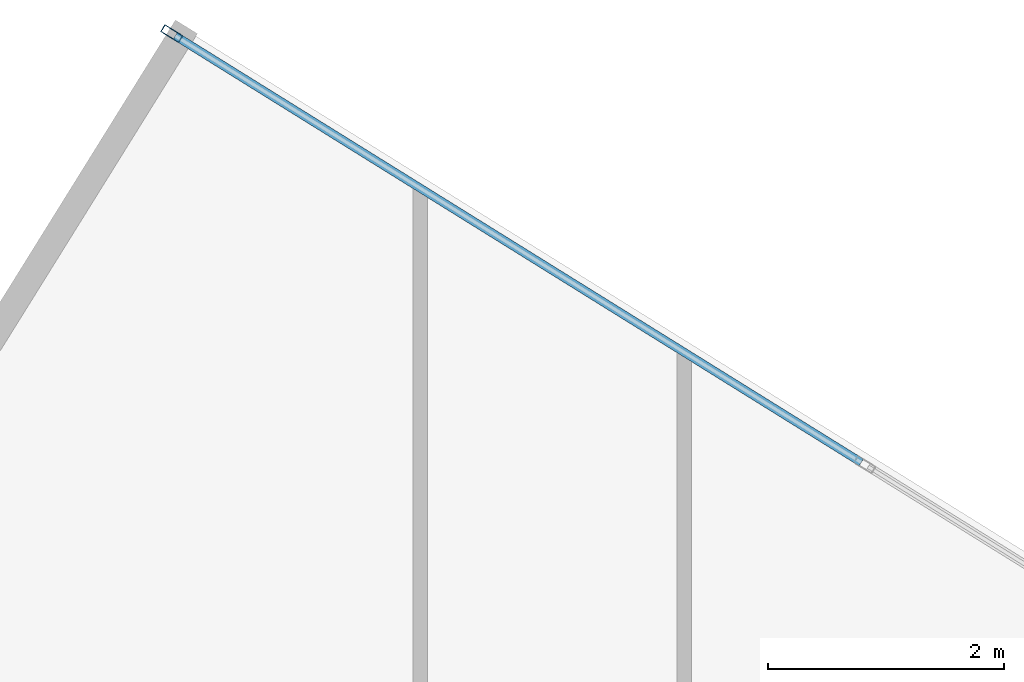
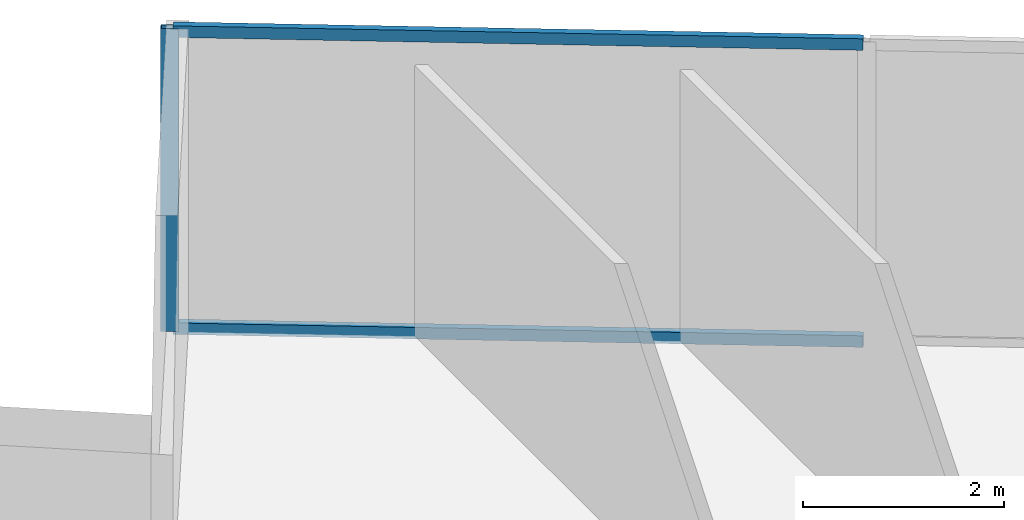
# One storey, part 16 of 26: 3 members, 1 element without a shape of its own.
"""IFC4 building model written with IfcOpenShell, lengths in metres."""

from ifc_helpers import new_model, si_unit, direction, frame, origin, origin_2d, place, context, subcontext, project, spatial, hollow_rectangle, extrude, source, transform, mapped, material, material_profile, profile_set, type_object, type_shapes, element, aggregate, save


model = new_model("IFC4")

# Units and contexts
model_context = context("Model", 3, precision=1e-05, world=origin(), true_north=direction((0.0, 1.0)))
body_context = subcontext(model_context, "Body", "Model", "MODEL_VIEW")
ifc_project = project(units=[si_unit("LENGTHUNIT", "METRE"), si_unit("AREAUNIT", "SQUARE_METRE"), si_unit("VOLUMEUNIT", "CUBIC_METRE"), si_unit("PLANEANGLEUNIT", "RADIAN"), si_unit("MASSUNIT", "GRAM", prefix="KILO")], contexts=[model_context])

# Site, building, storey
site_placement = place(None, origin())
site = spatial("IfcSite", under=ifc_project, at=site_placement, CompositionType="ELEMENT")
building_placement = place(site_placement, origin())
building = spatial("IfcBuilding", under=site, at=building_placement, Name="Krantzveldt Concourse Tower", CompositionType="ELEMENT")
storey_placement = place(building_placement, frame((0.0, 0.0, 173.85009765625)))
storey = spatial("IfcBuildingStorey", under=building, at=storey_placement, Name="L42", CompositionType="ELEMENT", Elevation=173.85009765625)

# Curtain wall, members
ifc_material = material(Name="Anodised aluminium 6063-T6", Category="aluminium")
curtain_wall_type = type_object("IfcCurtainWallType", Name="CW3", PredefinedType="USERDEFINED", material=ifc_material)
curtain_wall_placement = place(storey_placement, origin())
curtain_wall = element("IfcCurtainWall", 1, at=curtain_wall_placement, inside=storey, type_object=curtain_wall_type, Name="CW-L42-F10", ObjectType="UNITISED CURTAIN WALL", PredefinedType="USERDEFINED")
ifc_material_profile_1 = material_profile(ifc_material, hollow_rectangle(XDim=0.070068359375, YDim=0.179931640625, WallThickness=0.0048828125, at=origin_2d()), Name="Anodised aluminium 6063-T6", Category="aluminium")
ifc_profile_set_1 = profile_set([ifc_material_profile_1], Name="Anodised aluminium 6063-T6 - ALU-MULL 180x70x5")
member_type_1 = type_object("IfcMemberType", Name="CW-MUL-180", PredefinedType="MULLION", material=ifc_profile_set_1)
shared_shape_1 = source(origin(), body_context, "Body", "SweptSolid", [
    extrude(hollow_rectangle(XDim=0.070068359375, YDim=0.179931640625, WallThickness=0.0048828125, at=origin_2d()), origin(), (0.0, 0.0, 1.0), 3.669921875),
])
type_shapes(member_type_1, [shared_shape_1])
member_1_placement = place(storey_placement, frame((32.770751953125, 54.39111328125, 0.0), z_axis=(0.0, 0.0, 1.0), x_axis=(-0.528067901977, -0.84920214961, 0.0)))
member_1 = element("IfcMember", 2, at=member_1_placement, type_object=member_type_1, Name="CW-Z34 mullion 6", PredefinedType="MULLION", context=body_context, shape_type="MappedRepresentation", body=[
    mapped(shared_shape_1, transform((0.0, 0.0, 0.0), x_axis=(1.0, 0.0, 0.0), y_axis=(0.0, 1.0, 0.0), z_axis=(0.0, 0.0, 1.0), scale=1.0)),
])
ifc_material_profile_2 = material_profile(ifc_material, hollow_rectangle(XDim=0.070068359375, YDim=0.139892578125, WallThickness=0.0048828125, at=origin_2d()), Name="Anodised aluminium 6063-T6", Category="aluminium")
ifc_profile_set_2 = profile_set([ifc_material_profile_2], Name="Anodised aluminium 6063-T6 - ALU-TRAN 140x70x5")
member_type_2 = type_object("IfcMemberType", Name="CW-TRN-150", PredefinedType="USERDEFINED", material=ifc_profile_set_2)
shared_shape_2 = source(origin(), body_context, "Body", "SweptSolid", [
    extrude(hollow_rectangle(XDim=0.070068359375, YDim=0.139892578125, WallThickness=0.0048828125, at=origin_2d()), origin(), (0.0, 0.0, 1.0), 6.85498046875),
])
type_shapes(member_type_2, [shared_shape_2])
member_2_placement = place(storey_placement, frame((38.621826171875, 50.752685546875, 0.034912109375), z_axis=(-0.849204609246, 0.52806394654, 0.0), x_axis=(-0.52806394654, -0.849204609246, 0.0)))
member_2 = element("IfcMember", 3, at=member_2_placement, type_object=member_type_2, Name="CW-Z34 transom 5.1", ObjectType="TRANSOM", PredefinedType="USERDEFINED", context=body_context, shape_type="MappedRepresentation", body=[
    mapped(shared_shape_2, transform((0.0, 0.0, 0.0), x_axis=(1.0, 0.0, 0.0), y_axis=(0.0, 1.0, 0.0), z_axis=(0.0, 0.0, 1.0), scale=1.0)),
])
member_3_placement = place(storey_placement, frame((38.621826171875, 50.752685546875, 3.635009765625), z_axis=(-0.849204609246, 0.52806394654, 0.0), x_axis=(-0.52806394654, -0.849204609246, 0.0)))
member_3 = element("IfcMember", 4, at=member_3_placement, type_object=member_type_2, Name="CW-Z34 transom 5.2", ObjectType="TRANSOM", PredefinedType="USERDEFINED", context=body_context, shape_type="MappedRepresentation", body=[
    mapped(shared_shape_2, transform((0.0, 0.0, 0.0), x_axis=(1.0, 0.0, 0.0), y_axis=(0.0, 1.0, 0.0), z_axis=(0.0, 0.0, 1.0), scale=1.0)),
])
aggregate(curtain_wall, [member_1, member_2, member_3])

save(model, "model.ifc")
